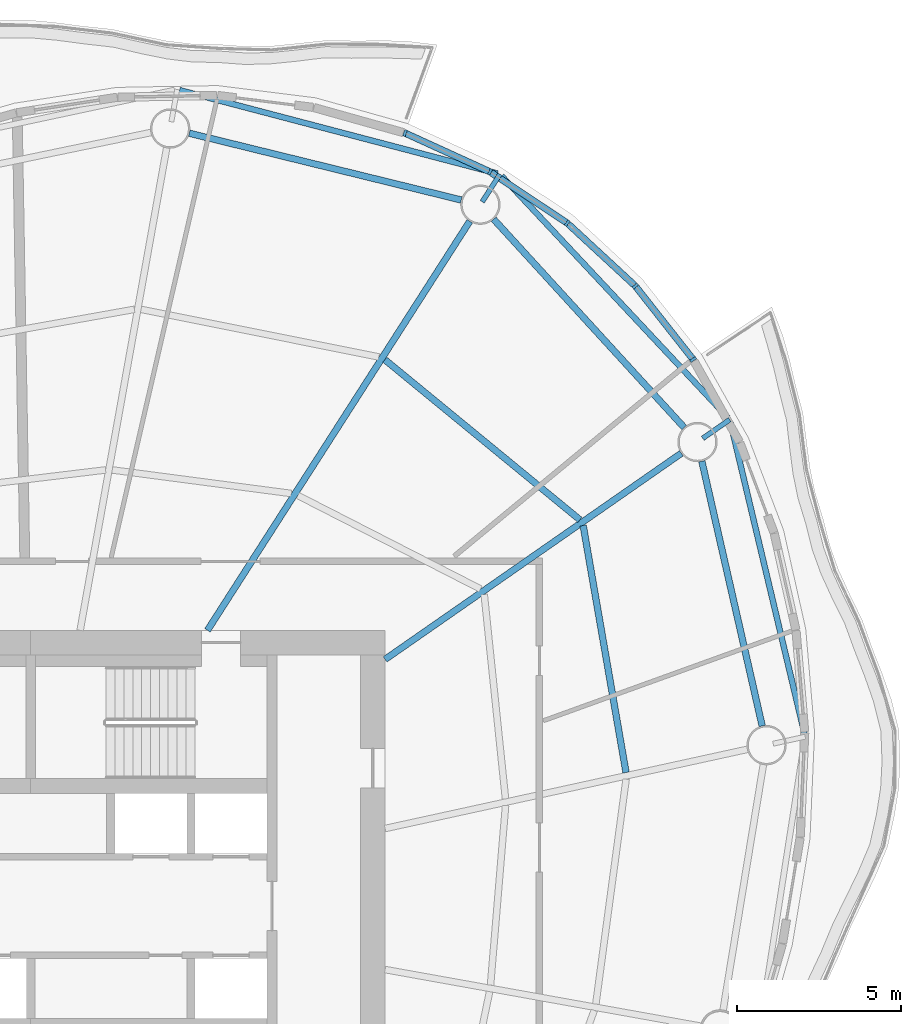
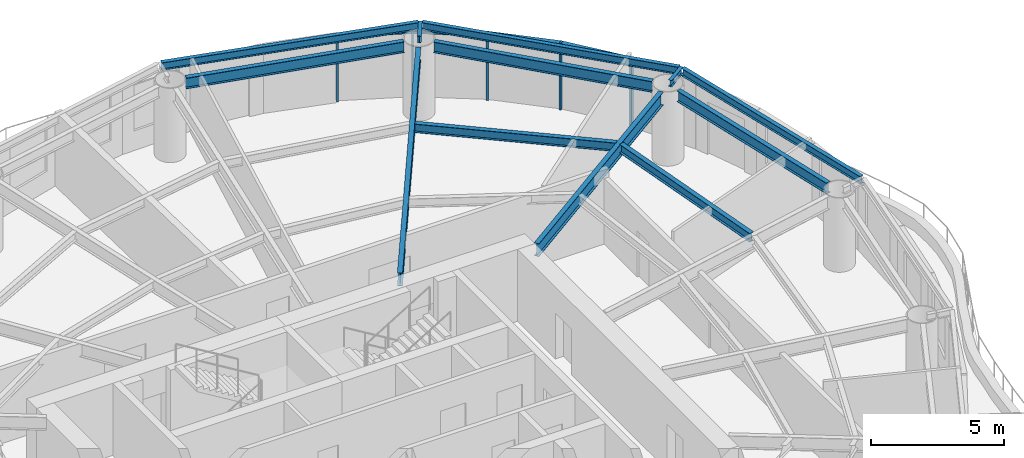
# One storey, part 6 of 14: 12 beams, 9 members, 4 elements without a shape of their own.
"""IFC4 building model written with IfcOpenShell, lengths in metres."""

from ifc_helpers import new_model, si_unit, direction, frame, origin, origin_2d, place, context, subcontext, project, spatial, rectangle, i_section, extrude, material, material_profile, profile_set, type_object, element, aggregate, save


model = new_model("IFC4")

# Units and contexts
model_context = context("Model", 3, precision=1e-05, world=origin(), true_north=direction((0.0, 1.0)))
body_context = subcontext(model_context, "Body", "Model", "MODEL_VIEW")
ifc_project = project(units=[si_unit("LENGTHUNIT", "METRE"), si_unit("AREAUNIT", "SQUARE_METRE"), si_unit("VOLUMEUNIT", "CUBIC_METRE"), si_unit("PLANEANGLEUNIT", "RADIAN"), si_unit("MASSUNIT", "GRAM", prefix="KILO")], contexts=[model_context])

# Site, building, storey
site_placement = place(None, origin())
site = spatial("IfcSite", under=ifc_project, at=site_placement, CompositionType="ELEMENT")
building_placement = place(site_placement, origin())
building = spatial("IfcBuilding", under=site, at=building_placement, Name="Vermilion Reach Broadcast Tower", CompositionType="ELEMENT")
storey_placement = place(building_placement, frame((0.0, 0.0, 238.89990234375)))
storey = spatial("IfcBuildingStorey", under=building, at=storey_placement, Name="L59", CompositionType="ELEMENT", Elevation=238.89990234375)

# Beams
ifc_material_1 = material(Name="Steel S355J2", Category="steel")
ifc_material_profile_1 = material_profile(ifc_material_1, i_section(OverallWidth=0.175048828125, OverallDepth=0.35009765625, WebThickness=0.007080078125, FlangeThickness=0.010986328125, at=origin_2d()), Name="S355J2 HN 350x175x7x11")
ifc_profile_set_1 = profile_set([ifc_material_profile_1], Name="Steel S355J2")
beam_type_1 = type_object("IfcBeamType", Name="EB4 HN 350x175x7x11", PredefinedType="BEAM", material=ifc_profile_set_1)
beam_1_placement = place(storey_placement, frame((8.222900390625, 22.31884765625, 3.22509765625), z_axis=(-0.967245780449, 0.253841683346, 0.0), x_axis=(-0.253841683346, -0.967245780449, 0.0)))
element("IfcBeam", 1, at=beam_1_placement, inside=storey, type_object=beam_type_1, Name="Edge beam EB4-01", PredefinedType="BEAM", context=body_context, shape_type="SweptSolid", body=[
    extrude(i_section(OverallWidth=0.175048828125, OverallDepth=0.35009765625, WebThickness=0.007080078125, FlangeThickness=0.010986328125, at=origin_2d()), origin(), (0.0, 0.0, 1.0), 10.01513671875),
])
beam_2_placement = place(storey_placement, frame((17.583984375, 5.23193359375, 3.22509765625), z_axis=(-0.231585642086, 0.972814520029, 0.0), x_axis=(-0.972814520029, -0.231585642086, 0.0)))
element("IfcBeam", 2, at=beam_2_placement, inside=storey, type_object=beam_type_1, Name="Edge beam EB4-15", PredefinedType="BEAM", context=body_context, shape_type="SweptSolid", body=[
    extrude(i_section(OverallWidth=0.175048828125, OverallDepth=0.35009765625, WebThickness=0.007080078125, FlangeThickness=0.010986328125, at=origin_2d()), origin(), (0.0, 0.0, 1.0), 9.77685546875),
])
beam_3_placement = place(storey_placement, frame((15.24951171875, 14.876708984375, 3.22509765625), z_axis=(-0.68353620987, 0.729916604686, 0.0), x_axis=(-0.729916604686, -0.68353620987, 0.0)))
element("IfcBeam", 3, at=beam_3_placement, inside=storey, type_object=beam_type_1, Name="Edge beam EB4-16", PredefinedType="BEAM", context=body_context, shape_type="SweptSolid", body=[
    extrude(i_section(OverallWidth=0.175048828125, OverallDepth=0.35009765625, WebThickness=0.007080078125, FlangeThickness=0.010986328125, at=origin_2d()), origin(), (0.0, 0.0, 1.0), 10.0908203125),
])
ifc_material_2 = material(Name="Steel S355J2", Category="steel")
ifc_material_profile_2 = material_profile(ifc_material_2, i_section(OverallWidth=0.199951171875, OverallDepth=0.60009765625, WebThickness=0.010986328125, FlangeThickness=0.01708984375, at=origin_2d()), Name="S355J2 HN 600x200x11x17")
ifc_profile_set_2 = profile_set([ifc_material_profile_2], Name="Steel S355J2")
beam_type_2 = type_object("IfcBeamType", Name="G4 HN 600x200x11x17", PredefinedType="BEAM", material=ifc_profile_set_2)
beam_4_placement = place(storey_placement, frame((-0.613525390625, 8.39990234375, 3.10009765625), z_axis=(0.539796447586, 0.84179557802, 0.0), x_axis=(-0.84179557802, 0.539796447586, 0.0)))
element("IfcBeam", 4, at=beam_4_placement, inside=storey, type_object=beam_type_2, Name="Girder G4-01", PredefinedType="BEAM", context=body_context, shape_type="SweptSolid", body=[
    extrude(i_section(OverallWidth=0.199951171875, OverallDepth=0.60009765625, WebThickness=0.010986328125, FlangeThickness=0.01708984375, at=origin_2d()), origin(), (0.0, 0.0, 1.0), 14.8076171875),
])
beam_5_placement = place(storey_placement, frame((4.800048828125, 7.5146484375, 3.10009765625), z_axis=(0.820848627818, 0.571145804684, 0.0), x_axis=(-0.571145804684, 0.820848627818, 0.0)))
element("IfcBeam", 5, at=beam_5_placement, inside=storey, type_object=beam_type_2, Name="Girder G4-16", PredefinedType="BEAM", context=body_context, shape_type="SweptSolid", body=[
    extrude(i_section(OverallWidth=0.199951171875, OverallDepth=0.60009765625, WebThickness=0.010986328125, FlangeThickness=0.01708984375, at=origin_2d()), origin(), (0.0, 0.0, 1.0), 10.99560546875),
])
ifc_material_3 = material(Name="Steel S355J2", Category="steel")
ifc_material_profile_3 = material_profile(ifc_material_3, i_section(OverallWidth=0.14990234375, OverallDepth=0.300048828125, WebThickness=0.006591796875, FlangeThickness=0.009033203125, at=origin_2d()), Name="S355J2 HN 300x150x6.5x9")
ifc_profile_set_3 = profile_set([ifc_material_profile_3], Name="Steel S355J2")
beam_type_3 = type_object("IfcBeamType", Name="GS4 HN 300x150x6.5x9", PredefinedType="BEAM", material=ifc_profile_set_3)
for number, where, z_axis, x_axis, name in (
    (6, (7.75927734375, 21.45703125, 3.25), (0.539794777091, 0.841796649213, 0.0), (-0.841796649213, 0.539794777091, 0.0), "Cantilever stub GS4-01"),
    (7, (14.48046875, 14.250244140625, 3.25), (0.820880318022, 0.571100256946, 0.0), (-0.571100256946, 0.820880318022, 0.0), "Cantilever stub GS4-16"),
):
    element("IfcBeam", number, at=place(storey_placement, frame(where, z_axis=z_axis, x_axis=x_axis)), inside=storey, type_object=beam_type_3, Name=name, PredefinedType="BEAM", context=body_context, shape_type="SweptSolid", body=[
        extrude(i_section(OverallWidth=0.14990234375, OverallDepth=0.300048828125, WebThickness=0.006591796875, FlangeThickness=0.009033203125, at=origin_2d()), origin(), (0.0, 0.0, 1.0), 1.0),
    ])
ifc_material_4 = material(Name="Steel S355J2", Category="steel")
ifc_material_profile_4 = material_profile(ifc_material_4, i_section(OverallWidth=0.199951171875, OverallDepth=0.5, WebThickness=0.010009765625, FlangeThickness=0.01611328125, at=origin_2d()), Name="S355J2 HN 500x200x10x16")
ifc_profile_set_4 = profile_set([ifc_material_profile_4], Name="Steel S355J2")
beam_type_4 = type_object("IfcBeamType", Name="RB4 HN 500x200x10x16", PredefinedType="BEAM", material=ifc_profile_set_4)
beam_6_placement = place(storey_placement, frame((7.120849609375, 21.51318359375, 3.150146484375), z_axis=(-0.971158622271, 0.238434331398, 0.0), x_axis=(-0.238434331398, -0.971158622271, 0.0)))
element("IfcBeam", 8, at=beam_6_placement, inside=storey, type_object=beam_type_4, Name="Ring beam RB4-01", PredefinedType="BEAM", context=body_context, shape_type="SweptSolid", body=[
    extrude(i_section(OverallWidth=0.199951171875, OverallDepth=0.5, WebThickness=0.010009765625, FlangeThickness=0.01611328125, at=origin_2d()), origin(), (0.0, 0.0, 1.0), 8.534423828125),
])
beam_7_placement = place(storey_placement, frame((16.290283203125, 5.486572265625, 3.150146484375), z_axis=(-0.222283068275, 0.974982172944, 0.0), x_axis=(-0.974982172944, -0.222283068275, 0.0)))
element("IfcBeam", 9, at=beam_7_placement, inside=storey, type_object=beam_type_4, Name="Ring beam RB4-15", PredefinedType="BEAM", context=body_context, shape_type="SweptSolid", body=[
    extrude(i_section(OverallWidth=0.199951171875, OverallDepth=0.5, WebThickness=0.010009765625, FlangeThickness=0.01611328125, at=origin_2d()), origin(), (0.0, 0.0, 1.0), 8.272705078125),
])
beam_8_placement = place(storey_placement, frame((13.9130859375, 14.580078125, 3.150146484375), z_axis=(-0.674868141417, 0.737938338684, 0.0), x_axis=(-0.737938338684, -0.674868141417, 0.0)))
element("IfcBeam", 10, at=beam_8_placement, inside=storey, type_object=beam_type_4, Name="Ring beam RB4-16", PredefinedType="BEAM", context=body_context, shape_type="SweptSolid", body=[
    extrude(i_section(OverallWidth=0.199951171875, OverallDepth=0.5, WebThickness=0.010009765625, FlangeThickness=0.01611328125, at=origin_2d()), origin(), (0.0, 0.0, 1.0), 8.601318359375),
])
ifc_material_5 = material(Name="Steel S355J2", Category="steel")
ifc_material_profile_5 = material_profile(ifc_material_5, i_section(OverallWidth=0.199951171875, OverallDepth=0.39990234375, WebThickness=0.008056640625, FlangeThickness=0.012939453125, at=origin_2d()), Name="S355J2 HN 400x200x8x13")
ifc_profile_set_5 = profile_set([ifc_material_profile_5], Name="Steel S355J2")
beam_type_5 = type_object("IfcBeamType", Name="SB4 HN 400x200x8x13", PredefinedType="BEAM", material=ifc_profile_set_5)
beam_9_placement = place(storey_placement, frame((12.141357421875, 4.067626953125, 3.2001953125), z_axis=(-0.170926997669, 0.985283695931, 0.0), x_axis=(-0.985283695931, -0.170926997669, 0.0)))
element("IfcBeam", 11, at=beam_9_placement, inside=storey, type_object=beam_type_5, Name="Secondary beam SB4-15-2", PredefinedType="BEAM", context=body_context, shape_type="SweptSolid", body=[
    extrude(i_section(OverallWidth=0.199951171875, OverallDepth=0.39990234375, WebThickness=0.008056640625, FlangeThickness=0.012939453125, at=origin_2d()), origin(), (0.0, 0.0, 1.0), 7.63720703125),
])
beam_10_placement = place(storey_placement, frame((10.73681640625, 11.76708984375, 3.2001953125), z_axis=(-0.772952000494, 0.6344645025, 0.0), x_axis=(-0.6344645025, -0.772952000494, 0.0)))
element("IfcBeam", 12, at=beam_10_placement, inside=storey, type_object=beam_type_5, Name="Secondary beam SB4-16-2", PredefinedType="BEAM", context=body_context, shape_type="SweptSolid", body=[
    extrude(i_section(OverallWidth=0.199951171875, OverallDepth=0.39990234375, WebThickness=0.008056640625, FlangeThickness=0.012939453125, at=origin_2d()), origin(), (0.0, 0.0, 1.0), 7.689697265625),
])

# Curtain wall, member
ifc_material_6 = material(Name="Low-e laminated clear glass in aluminium frame", Category="aluminium")
curtain_wall_type = type_object("IfcCurtainWallType", Name="Slot curtain wall", PredefinedType="NOTDEFINED", material=ifc_material_6)
placement = place(storey_placement, origin())
curtain_wall_1 = element("IfcCurtainWall", 13, at=placement, inside=storey, type_object=curtain_wall_type, Name="Slot curtain wall L59 46", PredefinedType="NOTDEFINED")
ifc_material_7 = material(Name="Anodised aluminium", Category="aluminium")
ifc_material_profile_6 = material_profile(ifc_material_7, rectangle(XDim=0.199951171875, YDim=0.080078125, at=origin_2d()), Name="Slot mullion 80 x 200")
ifc_profile_set_6 = profile_set([ifc_material_profile_6], Name="Anodised aluminium")
member_type_1 = type_object("IfcMemberType", Name="Slot mullion 80 x 200", PredefinedType="MULLION", material=ifc_profile_set_6)
member_1_placement = place(storey_placement, frame((14.186279296875, 16.653076171875, 0.0), z_axis=(0.0, 0.0, 1.0), x_axis=(-0.831309337436, -0.555810026441, 0.0)))
member_1 = element("IfcMember", 14, at=member_1_placement, type_object=member_type_1, Name="Slot mullion L59 46", PredefinedType="MULLION", context=body_context, shape_type="SweptSolid", body=[
    extrude(rectangle(XDim=0.199951171875, YDim=0.080078125, at=origin_2d()), origin(), (0.0, 0.0, 1.0), 3.050048828125),
])

curtain_wall_2 = element("IfcCurtainWall", 15, at=placement, inside=storey, type_object=curtain_wall_type, Name="Slot curtain wall L59 47", PredefinedType="NOTDEFINED")
member_2_placement = place(storey_placement, frame((12.425048828125, 18.8916015625, 0.0), z_axis=(0.0, 0.0, 1.0), x_axis=(-0.73454634453, -0.678558521969, 0.0)))
member_2 = element("IfcMember", 16, at=member_2_placement, type_object=member_type_1, Name="Slot mullion L59 47", PredefinedType="MULLION", context=body_context, shape_type="SweptSolid", body=[
    extrude(rectangle(XDim=0.199951171875, YDim=0.080078125, at=origin_2d()), origin(), (0.0, 0.0, 1.0), 3.050048828125),
])

curtain_wall_3 = element("IfcCurtainWall", 17, at=placement, inside=storey, type_object=curtain_wall_type, Name="Slot curtain wall L59 00", PredefinedType="NOTDEFINED")
member_3_placement = place(storey_placement, frame((10.3505859375, 20.807861328125, 0.0), z_axis=(0.0, 0.0, 1.0), x_axis=(-0.617859564908, -0.786288469998, 0.0)))
member_3 = element("IfcMember", 18, at=member_3_placement, type_object=member_type_1, Name="Slot mullion L59 00", PredefinedType="MULLION", context=body_context, shape_type="SweptSolid", body=[
    extrude(rectangle(XDim=0.199951171875, YDim=0.080078125, at=origin_2d()), origin(), (0.0, 0.0, 1.0), 3.050048828125),
])

# Curtain wall, members
curtain_wall_4 = element("IfcCurtainWall", 19, at=placement, inside=storey, type_object=curtain_wall_type, Name="Slot curtain wall L59 01", PredefinedType="NOTDEFINED")
member_4_placement = place(storey_placement, frame((7.998046875, 22.3701171875, 0.0), z_axis=(0.0, 0.0, 1.0), x_axis=(-0.485589491785, -0.874186962536, 0.0)))
member_4 = element("IfcMember", 20, at=member_4_placement, type_object=member_type_1, Name="Slot mullion L59 01", PredefinedType="MULLION", context=body_context, shape_type="SweptSolid", body=[
    extrude(rectangle(XDim=0.199951171875, YDim=0.080078125, at=origin_2d()), origin(), (0.0, 0.0, 1.0), 3.050048828125),
])
member_5_placement = place(storey_placement, frame((5.406494140625, 23.552001953125, 0.0), z_axis=(0.0, 0.0, 1.0), x_axis=(-0.343439040587, -0.9391749706, 0.0)))
member_5 = element("IfcMember", 21, at=member_5_placement, type_object=member_type_1, Name="Slot mullion L59 02", PredefinedType="MULLION", context=body_context, shape_type="SweptSolid", body=[
    extrude(rectangle(XDim=0.199951171875, YDim=0.080078125, at=origin_2d()), origin(), (0.0, 0.0, 1.0), 3.050048828125),
])

# Member
ifc_material_8 = material(Name="Anodised aluminium", Category="aluminium")
ifc_material_profile_7 = material_profile(ifc_material_8, rectangle(XDim=0.199951171875, YDim=0.10009765625, at=origin_2d()), Name="Slot transom 200 x 100")
ifc_profile_set_7 = profile_set([ifc_material_profile_7], Name="Anodised aluminium")
member_type_2 = type_object("IfcMemberType", Name="Slot transom 200 x 100", PredefinedType="USERDEFINED", material=ifc_profile_set_7)
member_6_placement = place(storey_placement, frame((14.161376953125, 16.684326171875, 3.0), z_axis=(-0.618296605282, 0.785944850417, 0.0), x_axis=(-0.785944850417, -0.618296605282, 0.0)))
member_6 = element("IfcMember", 22, at=member_6_placement, type_object=member_type_2, Name="Slot transom L59 46.1", ObjectType="TRANSOM", PredefinedType="USERDEFINED", context=body_context, shape_type="SweptSolid", body=[
    extrude(rectangle(XDim=0.199951171875, YDim=0.10009765625, at=origin_2d()), origin(), (0.0, 0.0, 1.0), 2.768310546875),
])

aggregate(curtain_wall_1, [member_1, member_6])

member_7_placement = place(storey_placement, frame((12.3955078125, 18.918701171875, 3.0), z_axis=(-0.734492948276, 0.678616319383, 0.0), x_axis=(-0.678616319383, -0.734492948276, 0.0)))
member_7 = element("IfcMember", 23, at=member_7_placement, type_object=member_type_2, Name="Slot transom L59 47.1", ObjectType="TRANSOM", PredefinedType="USERDEFINED", context=body_context, shape_type="SweptSolid", body=[
    extrude(rectangle(XDim=0.199951171875, YDim=0.10009765625, at=origin_2d()), origin(), (0.0, 0.0, 1.0), 2.743896484375),
])

aggregate(curtain_wall_2, [member_2, member_7])

member_8_placement = place(storey_placement, frame((10.3173828125, 20.830078125, 3.0), z_axis=(-0.83307550706, 0.553159289479, 0.0), x_axis=(-0.553159289479, -0.83307550706, 0.0)))
member_8 = element("IfcMember", 24, at=member_8_placement, type_object=member_type_2, Name="Slot transom L59 00.1", ObjectType="TRANSOM", PredefinedType="USERDEFINED", context=body_context, shape_type="SweptSolid", body=[
    extrude(rectangle(XDim=0.199951171875, YDim=0.10009765625, at=origin_2d()), origin(), (0.0, 0.0, 1.0), 2.743896484375),
])

aggregate(curtain_wall_3, [member_3, member_8])

member_9_placement = place(storey_placement, frame((7.961669921875, 22.38671875, 3.0), z_axis=(-0.909852343969, 0.414932177801, 0.0), x_axis=(-0.414932177801, -0.909852343969, 0.0)))
member_9 = element("IfcMember", 25, at=member_9_placement, type_object=member_type_2, Name="Slot transom L59 01.1", ObjectType="TRANSOM", PredefinedType="USERDEFINED", context=body_context, shape_type="SweptSolid", body=[
    extrude(rectangle(XDim=0.199951171875, YDim=0.10009765625, at=origin_2d()), origin(), (0.0, 0.0, 1.0), 2.768310546875),
])

aggregate(curtain_wall_4, [member_4, member_5, member_9])

save(model, "model.ifc")
